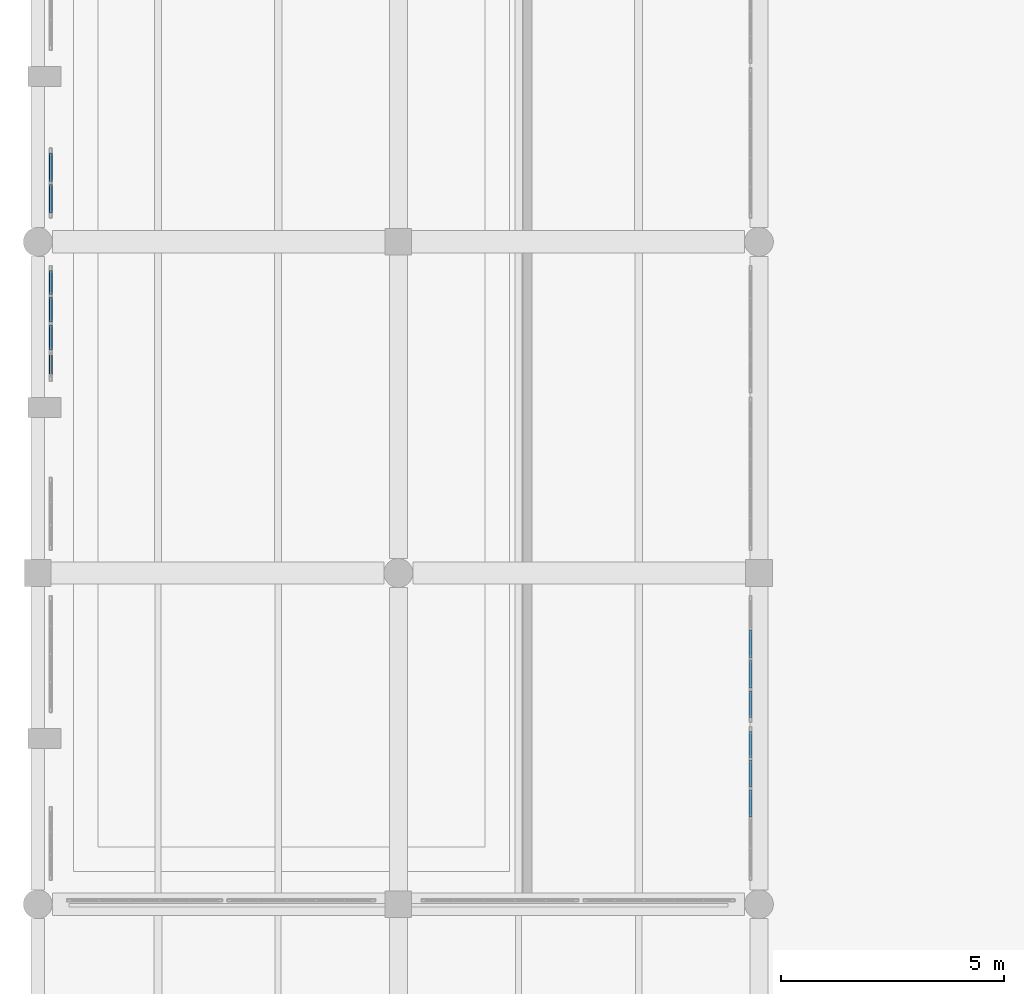
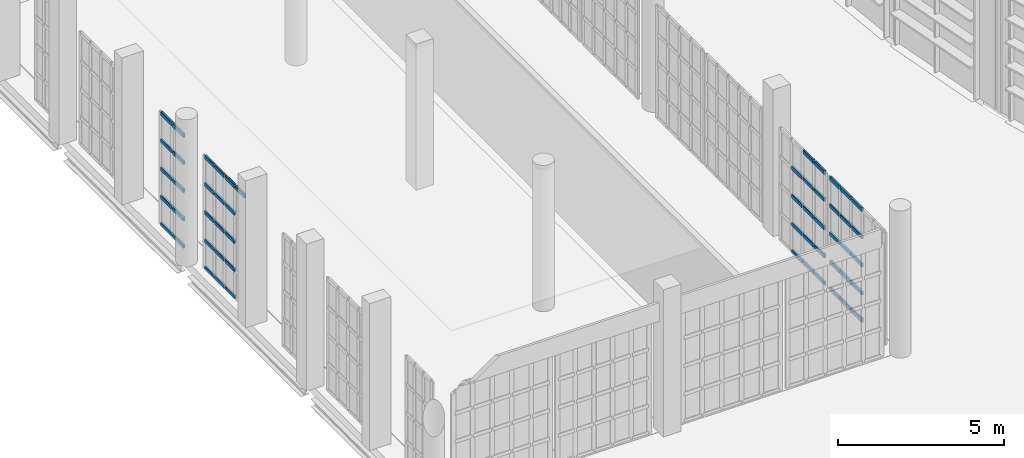
# One storey, part 295 of 372: 55 members, 4 elements without a shape of their own.
"""IFC4 building model written with IfcOpenShell, lengths in metres."""

from ifc_helpers import new_model, si_unit, direction, frame, origin, origin_2d, place, context, subcontext, project, spatial, hollow_rectangle, extrude, material, material_profile, profile_set, type_object, element, aggregate, save


model = new_model("IFC4")

# Units and contexts
model_context = context("Model", 3, precision=1e-05, world=origin(), true_north=direction((0.0, 1.0)))
body_context = subcontext(model_context, "Body", "Model", "MODEL_VIEW")
ifc_project = project(units=[si_unit("LENGTHUNIT", "METRE"), si_unit("AREAUNIT", "SQUARE_METRE"), si_unit("VOLUMEUNIT", "CUBIC_METRE"), si_unit("PLANEANGLEUNIT", "RADIAN"), si_unit("MASSUNIT", "GRAM", prefix="KILO")], contexts=[model_context])

# Site, building, storey
site_placement = place(None, origin())
site = spatial("IfcSite", under=ifc_project, at=site_placement, CompositionType="ELEMENT")
building_placement = place(site_placement, origin())
building = spatial("IfcBuilding", under=site, at=building_placement, Name="Kaelora Sail Theatre", CompositionType="ELEMENT")
storey_placement = place(building_placement, origin())
storey = spatial("IfcBuildingStorey", under=building, at=storey_placement, Name="L00", CompositionType="ELEMENT", Elevation=0.0)

# Curtain wall, members
ifc_material_1 = material(Name="Anodised aluminium and solar-control low-E IGU", Category="aluminium")
curtain_wall_type_1 = type_object("IfcCurtainWallType", Name="ARC-CW-CW-FOY1", PredefinedType="NOTDEFINED", material=ifc_material_1)
curtain_wall_1_placement = place(storey_placement, origin())
curtain_wall_1 = element("IfcCurtainWall", 1, at=curtain_wall_1_placement, inside=storey, type_object=curtain_wall_type_1, Name="Glazed Colonnade/Courtyard Curtain Wall COLW-W-L00-06", PredefinedType="NOTDEFINED")
ifc_material_2 = material(Name="Anodised aluminium 6063-T6", Category="aluminium")
ifc_material_profile = material_profile(ifc_material_2, hollow_rectangle(XDim=0.070068359375, YDim=0.139892578125, WallThickness=0.00390625, InnerFilletRadius=0.00390625, OuterFilletRadius=0.008056640625, at=origin_2d()), Name="ALU-TRAN 70x140x4")
ifc_profile_set = profile_set([ifc_material_profile], Name="Anodised aluminium 6063-T6")
member_type = type_object("IfcMemberType", Name="ARC-MEM-TR-140", PredefinedType="USERDEFINED", material=ifc_profile_set)
member_1_placement = place(storey_placement, frame((1.7900390625, 43.114990234375, 4.10205078125), z_axis=(0.0, 1.0, 0.0), x_axis=(-1.0, 0.0, 0.0)))
member_1 = element("IfcMember", 2, at=member_1_placement, type_object=member_type, Name="CW-FOY1 transom 1.5", ObjectType="TRANSOM", PredefinedType="USERDEFINED", context=body_context, shape_type="SweptSolid", body=[
    extrude(hollow_rectangle(XDim=0.070068359375, YDim=0.139892578125, WallThickness=0.00390625, InnerFilletRadius=0.00390625, OuterFilletRadius=0.008056640625, at=origin_2d()), origin(), (0.0, 0.0, 1.0), 0.534912109375),
])
member_2_placement = place(storey_placement, frame((1.7900390625, 43.7099609375, 0.034912109375), z_axis=(0.0, 1.0, 0.0), x_axis=(-1.0, 0.0, 0.0)))
member_2 = element("IfcMember", 3, at=member_2_placement, type_object=member_type, Name="CW-FOY1 transom 2.1", ObjectType="TRANSOM", PredefinedType="USERDEFINED", context=body_context, shape_type="SweptSolid", body=[
    extrude(hollow_rectangle(XDim=0.070068359375, YDim=0.139892578125, WallThickness=0.00390625, InnerFilletRadius=0.00390625, OuterFilletRadius=0.008056640625, at=origin_2d()), origin(), (0.0, 0.0, 1.0), 0.56494140625),
])
member_3_placement = place(storey_placement, frame((1.7900390625, 43.7099609375, 1.0341796875), z_axis=(0.0, 1.0, 0.0), x_axis=(-1.0, 0.0, 0.0)))
member_3 = element("IfcMember", 4, at=member_3_placement, type_object=member_type, Name="CW-FOY1 transom 2.2", ObjectType="TRANSOM", PredefinedType="USERDEFINED", context=body_context, shape_type="SweptSolid", body=[
    extrude(hollow_rectangle(XDim=0.070068359375, YDim=0.139892578125, WallThickness=0.00390625, InnerFilletRadius=0.00390625, OuterFilletRadius=0.008056640625, at=origin_2d()), origin(), (0.0, 0.0, 1.0), 0.56494140625),
])
member_4_placement = place(storey_placement, frame((1.7900390625, 43.7099609375, 2.068603515625), z_axis=(0.0, 1.0, 0.0), x_axis=(-1.0, 0.0, 0.0)))
member_4 = element("IfcMember", 5, at=member_4_placement, type_object=member_type, Name="CW-FOY1 transom 2.3", ObjectType="TRANSOM", PredefinedType="USERDEFINED", context=body_context, shape_type="SweptSolid", body=[
    extrude(hollow_rectangle(XDim=0.070068359375, YDim=0.139892578125, WallThickness=0.00390625, InnerFilletRadius=0.00390625, OuterFilletRadius=0.008056640625, at=origin_2d()), origin(), (0.0, 0.0, 1.0), 0.56494140625),
])
member_5_placement = place(storey_placement, frame((1.7900390625, 43.7099609375, 3.102783203125), z_axis=(0.0, 1.0, 0.0), x_axis=(-1.0, 0.0, 0.0)))
member_5 = element("IfcMember", 6, at=member_5_placement, type_object=member_type, Name="CW-FOY1 transom 2.4", ObjectType="TRANSOM", PredefinedType="USERDEFINED", context=body_context, shape_type="SweptSolid", body=[
    extrude(hollow_rectangle(XDim=0.070068359375, YDim=0.139892578125, WallThickness=0.00390625, InnerFilletRadius=0.00390625, OuterFilletRadius=0.008056640625, at=origin_2d()), origin(), (0.0, 0.0, 1.0), 0.56494140625),
])
member_6_placement = place(storey_placement, frame((1.7900390625, 43.7099609375, 4.10205078125), z_axis=(0.0, 1.0, 0.0), x_axis=(-1.0, 0.0, 0.0)))
member_6 = element("IfcMember", 7, at=member_6_placement, type_object=member_type, Name="CW-FOY1 transom 2.5", ObjectType="TRANSOM", PredefinedType="USERDEFINED", context=body_context, shape_type="SweptSolid", body=[
    extrude(hollow_rectangle(XDim=0.070068359375, YDim=0.139892578125, WallThickness=0.00390625, InnerFilletRadius=0.00390625, OuterFilletRadius=0.008056640625, at=origin_2d()), origin(), (0.0, 0.0, 1.0), 0.56494140625),
])
member_7_placement = place(storey_placement, frame((1.7900390625, 44.3349609375, 0.034912109375), z_axis=(0.0, 1.0, 0.0), x_axis=(-1.0, 0.0, 0.0)))
member_7 = element("IfcMember", 8, at=member_7_placement, type_object=member_type, Name="CW-FOY1 transom 3.1", ObjectType="TRANSOM", PredefinedType="USERDEFINED", context=body_context, shape_type="SweptSolid", body=[
    extrude(hollow_rectangle(XDim=0.070068359375, YDim=0.139892578125, WallThickness=0.00390625, InnerFilletRadius=0.00390625, OuterFilletRadius=0.008056640625, at=origin_2d()), origin(), (0.0, 0.0, 1.0), 0.56494140625),
])
member_8_placement = place(storey_placement, frame((1.7900390625, 44.3349609375, 1.0341796875), z_axis=(0.0, 1.0, 0.0), x_axis=(-1.0, 0.0, 0.0)))
member_8 = element("IfcMember", 9, at=member_8_placement, type_object=member_type, Name="CW-FOY1 transom 3.2", ObjectType="TRANSOM", PredefinedType="USERDEFINED", context=body_context, shape_type="SweptSolid", body=[
    extrude(hollow_rectangle(XDim=0.070068359375, YDim=0.139892578125, WallThickness=0.00390625, InnerFilletRadius=0.00390625, OuterFilletRadius=0.008056640625, at=origin_2d()), origin(), (0.0, 0.0, 1.0), 0.56494140625),
])
member_9_placement = place(storey_placement, frame((1.7900390625, 44.3349609375, 2.068603515625), z_axis=(0.0, 1.0, 0.0), x_axis=(-1.0, 0.0, 0.0)))
member_9 = element("IfcMember", 10, at=member_9_placement, type_object=member_type, Name="CW-FOY1 transom 3.3", ObjectType="TRANSOM", PredefinedType="USERDEFINED", context=body_context, shape_type="SweptSolid", body=[
    extrude(hollow_rectangle(XDim=0.070068359375, YDim=0.139892578125, WallThickness=0.00390625, InnerFilletRadius=0.00390625, OuterFilletRadius=0.008056640625, at=origin_2d()), origin(), (0.0, 0.0, 1.0), 0.56494140625),
])
member_10_placement = place(storey_placement, frame((1.7900390625, 44.3349609375, 3.102783203125), z_axis=(0.0, 1.0, 0.0), x_axis=(-1.0, 0.0, 0.0)))
member_10 = element("IfcMember", 11, at=member_10_placement, type_object=member_type, Name="CW-FOY1 transom 3.4", ObjectType="TRANSOM", PredefinedType="USERDEFINED", context=body_context, shape_type="SweptSolid", body=[
    extrude(hollow_rectangle(XDim=0.070068359375, YDim=0.139892578125, WallThickness=0.00390625, InnerFilletRadius=0.00390625, OuterFilletRadius=0.008056640625, at=origin_2d()), origin(), (0.0, 0.0, 1.0), 0.56494140625),
])
member_11_placement = place(storey_placement, frame((1.7900390625, 44.3349609375, 4.10205078125), z_axis=(0.0, 1.0, 0.0), x_axis=(-1.0, 0.0, 0.0)))
member_11 = element("IfcMember", 12, at=member_11_placement, type_object=member_type, Name="CW-FOY1 transom 3.5", ObjectType="TRANSOM", PredefinedType="USERDEFINED", context=body_context, shape_type="SweptSolid", body=[
    extrude(hollow_rectangle(XDim=0.070068359375, YDim=0.139892578125, WallThickness=0.00390625, InnerFilletRadius=0.00390625, OuterFilletRadius=0.008056640625, at=origin_2d()), origin(), (0.0, 0.0, 1.0), 0.56494140625),
])
member_12_placement = place(storey_placement, frame((1.7900390625, 44.9599609375, 0.034912109375), z_axis=(0.0, 1.0, 0.0), x_axis=(-1.0, 0.0, 0.0)))
member_12 = element("IfcMember", 13, at=member_12_placement, type_object=member_type, Name="CW-FOY1 transom 4.1", ObjectType="TRANSOM", PredefinedType="USERDEFINED", context=body_context, shape_type="SweptSolid", body=[
    extrude(hollow_rectangle(XDim=0.070068359375, YDim=0.139892578125, WallThickness=0.00390625, InnerFilletRadius=0.00390625, OuterFilletRadius=0.008056640625, at=origin_2d()), origin(), (0.0, 0.0, 1.0), 0.53515625),
])
member_13_placement = place(storey_placement, frame((1.7900390625, 44.9599609375, 1.0341796875), z_axis=(0.0, 1.0, 0.0), x_axis=(-1.0, 0.0, 0.0)))
member_13 = element("IfcMember", 14, at=member_13_placement, type_object=member_type, Name="CW-FOY1 transom 4.2", ObjectType="TRANSOM", PredefinedType="USERDEFINED", context=body_context, shape_type="SweptSolid", body=[
    extrude(hollow_rectangle(XDim=0.070068359375, YDim=0.139892578125, WallThickness=0.00390625, InnerFilletRadius=0.00390625, OuterFilletRadius=0.008056640625, at=origin_2d()), origin(), (0.0, 0.0, 1.0), 0.53515625),
])
member_14_placement = place(storey_placement, frame((1.7900390625, 44.9599609375, 2.068603515625), z_axis=(0.0, 1.0, 0.0), x_axis=(-1.0, 0.0, 0.0)))
member_14 = element("IfcMember", 15, at=member_14_placement, type_object=member_type, Name="CW-FOY1 transom 4.3", ObjectType="TRANSOM", PredefinedType="USERDEFINED", context=body_context, shape_type="SweptSolid", body=[
    extrude(hollow_rectangle(XDim=0.070068359375, YDim=0.139892578125, WallThickness=0.00390625, InnerFilletRadius=0.00390625, OuterFilletRadius=0.008056640625, at=origin_2d()), origin(), (0.0, 0.0, 1.0), 0.53515625),
])
member_15_placement = place(storey_placement, frame((1.7900390625, 44.9599609375, 3.102783203125), z_axis=(0.0, 1.0, 0.0), x_axis=(-1.0, 0.0, 0.0)))
member_15 = element("IfcMember", 16, at=member_15_placement, type_object=member_type, Name="CW-FOY1 transom 4.4", ObjectType="TRANSOM", PredefinedType="USERDEFINED", context=body_context, shape_type="SweptSolid", body=[
    extrude(hollow_rectangle(XDim=0.070068359375, YDim=0.139892578125, WallThickness=0.00390625, InnerFilletRadius=0.00390625, OuterFilletRadius=0.008056640625, at=origin_2d()), origin(), (0.0, 0.0, 1.0), 0.53515625),
])
member_16_placement = place(storey_placement, frame((1.7900390625, 44.9599609375, 4.10205078125), z_axis=(0.0, 1.0, 0.0), x_axis=(-1.0, 0.0, 0.0)))
member_16 = element("IfcMember", 17, at=member_16_placement, type_object=member_type, Name="CW-FOY1 transom 4.5", ObjectType="TRANSOM", PredefinedType="USERDEFINED", context=body_context, shape_type="SweptSolid", body=[
    extrude(hollow_rectangle(XDim=0.070068359375, YDim=0.139892578125, WallThickness=0.00390625, InnerFilletRadius=0.00390625, OuterFilletRadius=0.008056640625, at=origin_2d()), origin(), (0.0, 0.0, 1.0), 0.53515625),
])
aggregate(curtain_wall_1, [member_1, member_2, member_3, member_4, member_5, member_6, member_7, member_8, member_9, member_10, member_11, member_12, member_13, member_14, member_15, member_16])

curtain_wall_2_placement = place(storey_placement, origin())
curtain_wall_2 = element("IfcCurtainWall", 18, at=curtain_wall_2_placement, inside=storey, type_object=curtain_wall_type_1, Name="Glazed Colonnade/Courtyard Curtain Wall COLW-W-L00-07", PredefinedType="NOTDEFINED")
member_17_placement = place(storey_placement, frame((1.7900390625, 46.784912109375, 0.034912109375), z_axis=(0.0, 1.0, 0.0), x_axis=(-1.0, 0.0, 0.0)))
member_17 = element("IfcMember", 19, at=member_17_placement, type_object=member_type, Name="CW-FOY1 transom 1.1", ObjectType="TRANSOM", PredefinedType="USERDEFINED", context=body_context, shape_type="SweptSolid", body=[
    extrude(hollow_rectangle(XDim=0.070068359375, YDim=0.139892578125, WallThickness=0.00390625, InnerFilletRadius=0.00390625, OuterFilletRadius=0.008056640625, at=origin_2d()), origin(), (0.0, 0.0, 1.0), 0.647705078125),
])
member_18_placement = place(storey_placement, frame((1.7900390625, 46.784912109375, 1.0341796875), z_axis=(0.0, 1.0, 0.0), x_axis=(-1.0, 0.0, 0.0)))
member_18 = element("IfcMember", 20, at=member_18_placement, type_object=member_type, Name="CW-FOY1 transom 1.2", ObjectType="TRANSOM", PredefinedType="USERDEFINED", context=body_context, shape_type="SweptSolid", body=[
    extrude(hollow_rectangle(XDim=0.070068359375, YDim=0.139892578125, WallThickness=0.00390625, InnerFilletRadius=0.00390625, OuterFilletRadius=0.008056640625, at=origin_2d()), origin(), (0.0, 0.0, 1.0), 0.647705078125),
])
member_19_placement = place(storey_placement, frame((1.7900390625, 46.784912109375, 2.068603515625), z_axis=(0.0, 1.0, 0.0), x_axis=(-1.0, 0.0, 0.0)))
member_19 = element("IfcMember", 21, at=member_19_placement, type_object=member_type, Name="CW-FOY1 transom 1.3", ObjectType="TRANSOM", PredefinedType="USERDEFINED", context=body_context, shape_type="SweptSolid", body=[
    extrude(hollow_rectangle(XDim=0.070068359375, YDim=0.139892578125, WallThickness=0.00390625, InnerFilletRadius=0.00390625, OuterFilletRadius=0.008056640625, at=origin_2d()), origin(), (0.0, 0.0, 1.0), 0.647705078125),
])
member_20_placement = place(storey_placement, frame((1.7900390625, 46.784912109375, 3.102783203125), z_axis=(0.0, 1.0, 0.0), x_axis=(-1.0, 0.0, 0.0)))
member_20 = element("IfcMember", 22, at=member_20_placement, type_object=member_type, Name="CW-FOY1 transom 1.4", ObjectType="TRANSOM", PredefinedType="USERDEFINED", context=body_context, shape_type="SweptSolid", body=[
    extrude(hollow_rectangle(XDim=0.070068359375, YDim=0.139892578125, WallThickness=0.00390625, InnerFilletRadius=0.00390625, OuterFilletRadius=0.008056640625, at=origin_2d()), origin(), (0.0, 0.0, 1.0), 0.647705078125),
])
member_21_placement = place(storey_placement, frame((1.7900390625, 46.784912109375, 4.10205078125), z_axis=(0.0, 1.0, 0.0), x_axis=(-1.0, 0.0, 0.0)))
member_21 = element("IfcMember", 23, at=member_21_placement, type_object=member_type, Name="CW-FOY1 transom 1.5", ObjectType="TRANSOM", PredefinedType="USERDEFINED", context=body_context, shape_type="SweptSolid", body=[
    extrude(hollow_rectangle(XDim=0.070068359375, YDim=0.139892578125, WallThickness=0.00390625, InnerFilletRadius=0.00390625, OuterFilletRadius=0.008056640625, at=origin_2d()), origin(), (0.0, 0.0, 1.0), 0.647705078125),
])
member_22_placement = place(storey_placement, frame((1.7900390625, 47.492431640625, 0.034912109375), z_axis=(0.0, 1.0, 0.0), x_axis=(-1.0, 0.0, 0.0)))
member_22 = element("IfcMember", 24, at=member_22_placement, type_object=member_type, Name="CW-FOY1 transom 2.1", ObjectType="TRANSOM", PredefinedType="USERDEFINED", context=body_context, shape_type="SweptSolid", body=[
    extrude(hollow_rectangle(XDim=0.070068359375, YDim=0.139892578125, WallThickness=0.00390625, InnerFilletRadius=0.00390625, OuterFilletRadius=0.008056640625, at=origin_2d()), origin(), (0.0, 0.0, 1.0), 0.6474609375),
])
member_23_placement = place(storey_placement, frame((1.7900390625, 47.492431640625, 1.0341796875), z_axis=(0.0, 1.0, 0.0), x_axis=(-1.0, 0.0, 0.0)))
member_23 = element("IfcMember", 25, at=member_23_placement, type_object=member_type, Name="CW-FOY1 transom 2.2", ObjectType="TRANSOM", PredefinedType="USERDEFINED", context=body_context, shape_type="SweptSolid", body=[
    extrude(hollow_rectangle(XDim=0.070068359375, YDim=0.139892578125, WallThickness=0.00390625, InnerFilletRadius=0.00390625, OuterFilletRadius=0.008056640625, at=origin_2d()), origin(), (0.0, 0.0, 1.0), 0.6474609375),
])
member_24_placement = place(storey_placement, frame((1.7900390625, 47.492431640625, 2.068603515625), z_axis=(0.0, 1.0, 0.0), x_axis=(-1.0, 0.0, 0.0)))
member_24 = element("IfcMember", 26, at=member_24_placement, type_object=member_type, Name="CW-FOY1 transom 2.3", ObjectType="TRANSOM", PredefinedType="USERDEFINED", context=body_context, shape_type="SweptSolid", body=[
    extrude(hollow_rectangle(XDim=0.070068359375, YDim=0.139892578125, WallThickness=0.00390625, InnerFilletRadius=0.00390625, OuterFilletRadius=0.008056640625, at=origin_2d()), origin(), (0.0, 0.0, 1.0), 0.6474609375),
])
member_25_placement = place(storey_placement, frame((1.7900390625, 47.492431640625, 3.102783203125), z_axis=(0.0, 1.0, 0.0), x_axis=(-1.0, 0.0, 0.0)))
member_25 = element("IfcMember", 27, at=member_25_placement, type_object=member_type, Name="CW-FOY1 transom 2.4", ObjectType="TRANSOM", PredefinedType="USERDEFINED", context=body_context, shape_type="SweptSolid", body=[
    extrude(hollow_rectangle(XDim=0.070068359375, YDim=0.139892578125, WallThickness=0.00390625, InnerFilletRadius=0.00390625, OuterFilletRadius=0.008056640625, at=origin_2d()), origin(), (0.0, 0.0, 1.0), 0.6474609375),
])
member_26_placement = place(storey_placement, frame((1.7900390625, 47.492431640625, 4.10205078125), z_axis=(0.0, 1.0, 0.0), x_axis=(-1.0, 0.0, 0.0)))
member_26 = element("IfcMember", 28, at=member_26_placement, type_object=member_type, Name="CW-FOY1 transom 2.5", ObjectType="TRANSOM", PredefinedType="USERDEFINED", context=body_context, shape_type="SweptSolid", body=[
    extrude(hollow_rectangle(XDim=0.070068359375, YDim=0.139892578125, WallThickness=0.00390625, InnerFilletRadius=0.00390625, OuterFilletRadius=0.008056640625, at=origin_2d()), origin(), (0.0, 0.0, 1.0), 0.6474609375),
])
aggregate(curtain_wall_2, [member_17, member_18, member_19, member_20, member_21, member_22, member_23, member_24, member_25, member_26])

ifc_material_3 = material(Name="Anodised aluminium and solar-control low-E IGU", Category="aluminium")
curtain_wall_type_2 = type_object("IfcCurtainWallType", Name="ARC-CW-CW-FOY2", PredefinedType="NOTDEFINED", material=ifc_material_3)
curtain_wall_3_placement = place(storey_placement, origin())
curtain_wall_3 = element("IfcCurtainWall", 29, at=curtain_wall_3_placement, inside=storey, type_object=curtain_wall_type_2, Name="Glazed Colonnade/Courtyard Curtain Wall COLW-E-L00-01", PredefinedType="NOTDEFINED")
member_27_placement = place(storey_placement, frame((17.510009765625, 33.217041015625, 0.034912109375), z_axis=(0.0, 1.0, 0.0), x_axis=(-1.0, 0.0, 0.0)))
member_27 = element("IfcMember", 30, at=member_27_placement, type_object=member_type, Name="CW-FOY2 transom 3.1", ObjectType="TRANSOM", PredefinedType="USERDEFINED", context=body_context, shape_type="SweptSolid", body=[
    extrude(hollow_rectangle(XDim=0.070068359375, YDim=0.139892578125, WallThickness=0.00390625, InnerFilletRadius=0.00390625, OuterFilletRadius=0.008056640625, at=origin_2d()), origin(), (0.0, 0.0, 1.0), 0.61083984375),
])
member_28_placement = place(storey_placement, frame((17.510009765625, 33.217041015625, 1.0341796875), z_axis=(0.0, 1.0, 0.0), x_axis=(-1.0, 0.0, 0.0)))
member_28 = element("IfcMember", 31, at=member_28_placement, type_object=member_type, Name="CW-FOY2 transom 3.2", ObjectType="TRANSOM", PredefinedType="USERDEFINED", context=body_context, shape_type="SweptSolid", body=[
    extrude(hollow_rectangle(XDim=0.070068359375, YDim=0.139892578125, WallThickness=0.00390625, InnerFilletRadius=0.00390625, OuterFilletRadius=0.008056640625, at=origin_2d()), origin(), (0.0, 0.0, 1.0), 0.61083984375),
])
member_29_placement = place(storey_placement, frame((17.510009765625, 33.217041015625, 2.068603515625), z_axis=(0.0, 1.0, 0.0), x_axis=(-1.0, 0.0, 0.0)))
member_29 = element("IfcMember", 32, at=member_29_placement, type_object=member_type, Name="CW-FOY2 transom 3.3", ObjectType="TRANSOM", PredefinedType="USERDEFINED", context=body_context, shape_type="SweptSolid", body=[
    extrude(hollow_rectangle(XDim=0.070068359375, YDim=0.139892578125, WallThickness=0.00390625, InnerFilletRadius=0.00390625, OuterFilletRadius=0.008056640625, at=origin_2d()), origin(), (0.0, 0.0, 1.0), 0.61083984375),
])
member_30_placement = place(storey_placement, frame((17.510009765625, 33.217041015625, 3.102783203125), z_axis=(0.0, 1.0, 0.0), x_axis=(-1.0, 0.0, 0.0)))
member_30 = element("IfcMember", 33, at=member_30_placement, type_object=member_type, Name="CW-FOY2 transom 3.4", ObjectType="TRANSOM", PredefinedType="USERDEFINED", context=body_context, shape_type="SweptSolid", body=[
    extrude(hollow_rectangle(XDim=0.070068359375, YDim=0.139892578125, WallThickness=0.00390625, InnerFilletRadius=0.00390625, OuterFilletRadius=0.008056640625, at=origin_2d()), origin(), (0.0, 0.0, 1.0), 0.61083984375),
])
member_31_placement = place(storey_placement, frame((17.510009765625, 33.217041015625, 4.10205078125), z_axis=(0.0, 1.0, 0.0), x_axis=(-1.0, 0.0, 0.0)))
member_31 = element("IfcMember", 34, at=member_31_placement, type_object=member_type, Name="CW-FOY2 transom 3.5", ObjectType="TRANSOM", PredefinedType="USERDEFINED", context=body_context, shape_type="SweptSolid", body=[
    extrude(hollow_rectangle(XDim=0.070068359375, YDim=0.139892578125, WallThickness=0.00390625, InnerFilletRadius=0.00390625, OuterFilletRadius=0.008056640625, at=origin_2d()), origin(), (0.0, 0.0, 1.0), 0.61083984375),
])
member_32_placement = place(storey_placement, frame((17.510009765625, 33.887939453125, 0.034912109375), z_axis=(0.0, 1.0, 0.0), x_axis=(-1.0, 0.0, 0.0)))
member_32 = element("IfcMember", 35, at=member_32_placement, type_object=member_type, Name="CW-FOY2 transom 4.1", ObjectType="TRANSOM", PredefinedType="USERDEFINED", context=body_context, shape_type="SweptSolid", body=[
    extrude(hollow_rectangle(XDim=0.070068359375, YDim=0.139892578125, WallThickness=0.00390625, InnerFilletRadius=0.00390625, OuterFilletRadius=0.008056640625, at=origin_2d()), origin(), (0.0, 0.0, 1.0), 0.611083984375),
])
member_33_placement = place(storey_placement, frame((17.510009765625, 33.887939453125, 1.0341796875), z_axis=(0.0, 1.0, 0.0), x_axis=(-1.0, 0.0, 0.0)))
member_33 = element("IfcMember", 36, at=member_33_placement, type_object=member_type, Name="CW-FOY2 transom 4.2", ObjectType="TRANSOM", PredefinedType="USERDEFINED", context=body_context, shape_type="SweptSolid", body=[
    extrude(hollow_rectangle(XDim=0.070068359375, YDim=0.139892578125, WallThickness=0.00390625, InnerFilletRadius=0.00390625, OuterFilletRadius=0.008056640625, at=origin_2d()), origin(), (0.0, 0.0, 1.0), 0.611083984375),
])
member_34_placement = place(storey_placement, frame((17.510009765625, 33.887939453125, 2.068603515625), z_axis=(0.0, 1.0, 0.0), x_axis=(-1.0, 0.0, 0.0)))
member_34 = element("IfcMember", 37, at=member_34_placement, type_object=member_type, Name="CW-FOY2 transom 4.3", ObjectType="TRANSOM", PredefinedType="USERDEFINED", context=body_context, shape_type="SweptSolid", body=[
    extrude(hollow_rectangle(XDim=0.070068359375, YDim=0.139892578125, WallThickness=0.00390625, InnerFilletRadius=0.00390625, OuterFilletRadius=0.008056640625, at=origin_2d()), origin(), (0.0, 0.0, 1.0), 0.611083984375),
])
member_35_placement = place(storey_placement, frame((17.510009765625, 33.887939453125, 3.102783203125), z_axis=(0.0, 1.0, 0.0), x_axis=(-1.0, 0.0, 0.0)))
member_35 = element("IfcMember", 38, at=member_35_placement, type_object=member_type, Name="CW-FOY2 transom 4.4", ObjectType="TRANSOM", PredefinedType="USERDEFINED", context=body_context, shape_type="SweptSolid", body=[
    extrude(hollow_rectangle(XDim=0.070068359375, YDim=0.139892578125, WallThickness=0.00390625, InnerFilletRadius=0.00390625, OuterFilletRadius=0.008056640625, at=origin_2d()), origin(), (0.0, 0.0, 1.0), 0.611083984375),
])
member_36_placement = place(storey_placement, frame((17.510009765625, 33.887939453125, 4.10205078125), z_axis=(0.0, 1.0, 0.0), x_axis=(-1.0, 0.0, 0.0)))
member_36 = element("IfcMember", 39, at=member_36_placement, type_object=member_type, Name="CW-FOY2 transom 4.5", ObjectType="TRANSOM", PredefinedType="USERDEFINED", context=body_context, shape_type="SweptSolid", body=[
    extrude(hollow_rectangle(XDim=0.070068359375, YDim=0.139892578125, WallThickness=0.00390625, InnerFilletRadius=0.00390625, OuterFilletRadius=0.008056640625, at=origin_2d()), origin(), (0.0, 0.0, 1.0), 0.611083984375),
])
member_37_placement = place(storey_placement, frame((17.510009765625, 34.55908203125, 0.034912109375), z_axis=(0.0, 1.0, 0.0), x_axis=(-1.0, 0.0, 0.0)))
member_37 = element("IfcMember", 40, at=member_37_placement, type_object=member_type, Name="CW-FOY2 transom 5.1", ObjectType="TRANSOM", PredefinedType="USERDEFINED", context=body_context, shape_type="SweptSolid", body=[
    extrude(hollow_rectangle(XDim=0.070068359375, YDim=0.139892578125, WallThickness=0.00390625, InnerFilletRadius=0.00390625, OuterFilletRadius=0.008056640625, at=origin_2d()), origin(), (0.0, 0.0, 1.0), 0.580810546875),
])
member_38_placement = place(storey_placement, frame((17.510009765625, 34.55908203125, 1.0341796875), z_axis=(0.0, 1.0, 0.0), x_axis=(-1.0, 0.0, 0.0)))
member_38 = element("IfcMember", 41, at=member_38_placement, type_object=member_type, Name="CW-FOY2 transom 5.2", ObjectType="TRANSOM", PredefinedType="USERDEFINED", context=body_context, shape_type="SweptSolid", body=[
    extrude(hollow_rectangle(XDim=0.070068359375, YDim=0.139892578125, WallThickness=0.00390625, InnerFilletRadius=0.00390625, OuterFilletRadius=0.008056640625, at=origin_2d()), origin(), (0.0, 0.0, 1.0), 0.580810546875),
])
member_39_placement = place(storey_placement, frame((17.510009765625, 34.55908203125, 2.068603515625), z_axis=(0.0, 1.0, 0.0), x_axis=(-1.0, 0.0, 0.0)))
member_39 = element("IfcMember", 42, at=member_39_placement, type_object=member_type, Name="CW-FOY2 transom 5.3", ObjectType="TRANSOM", PredefinedType="USERDEFINED", context=body_context, shape_type="SweptSolid", body=[
    extrude(hollow_rectangle(XDim=0.070068359375, YDim=0.139892578125, WallThickness=0.00390625, InnerFilletRadius=0.00390625, OuterFilletRadius=0.008056640625, at=origin_2d()), origin(), (0.0, 0.0, 1.0), 0.580810546875),
])
member_40_placement = place(storey_placement, frame((17.510009765625, 34.55908203125, 3.102783203125), z_axis=(0.0, 1.0, 0.0), x_axis=(-1.0, 0.0, 0.0)))
member_40 = element("IfcMember", 43, at=member_40_placement, type_object=member_type, Name="CW-FOY2 transom 5.4", ObjectType="TRANSOM", PredefinedType="USERDEFINED", context=body_context, shape_type="SweptSolid", body=[
    extrude(hollow_rectangle(XDim=0.070068359375, YDim=0.139892578125, WallThickness=0.00390625, InnerFilletRadius=0.00390625, OuterFilletRadius=0.008056640625, at=origin_2d()), origin(), (0.0, 0.0, 1.0), 0.580810546875),
])
member_41_placement = place(storey_placement, frame((17.510009765625, 34.55908203125, 4.10205078125), z_axis=(0.0, 1.0, 0.0), x_axis=(-1.0, 0.0, 0.0)))
member_41 = element("IfcMember", 44, at=member_41_placement, type_object=member_type, Name="CW-FOY2 transom 5.5", ObjectType="TRANSOM", PredefinedType="USERDEFINED", context=body_context, shape_type="SweptSolid", body=[
    extrude(hollow_rectangle(XDim=0.070068359375, YDim=0.139892578125, WallThickness=0.00390625, InnerFilletRadius=0.00390625, OuterFilletRadius=0.008056640625, at=origin_2d()), origin(), (0.0, 0.0, 1.0), 0.580810546875),
])
aggregate(curtain_wall_3, [member_27, member_28, member_29, member_30, member_31, member_32, member_33, member_34, member_35, member_36, member_37, member_38, member_39, member_40, member_41])

curtain_wall_4_placement = place(storey_placement, origin())
curtain_wall_4 = element("IfcCurtainWall", 45, at=curtain_wall_4_placement, inside=storey, type_object=curtain_wall_type_2, Name="Glazed Colonnade/Courtyard Curtain Wall COLW-E-L00-02", PredefinedType="NOTDEFINED")
member_42_placement = place(storey_placement, frame((17.510009765625, 35.4599609375, 0.034912109375), z_axis=(0.0, 1.0, 0.0), x_axis=(-1.0, 0.0, 0.0)))
member_42 = element("IfcMember", 46, at=member_42_placement, type_object=member_type, Name="CW-FOY2 transom 1.1", ObjectType="TRANSOM", PredefinedType="USERDEFINED", context=body_context, shape_type="SweptSolid", body=[
    extrude(hollow_rectangle(XDim=0.070068359375, YDim=0.139892578125, WallThickness=0.00390625, InnerFilletRadius=0.00390625, OuterFilletRadius=0.008056640625, at=origin_2d()), origin(), (0.0, 0.0, 1.0), 0.594970703125),
])
member_43_placement = place(storey_placement, frame((17.510009765625, 35.4599609375, 1.0341796875), z_axis=(0.0, 1.0, 0.0), x_axis=(-1.0, 0.0, 0.0)))
member_43 = element("IfcMember", 47, at=member_43_placement, type_object=member_type, Name="CW-FOY2 transom 1.2", ObjectType="TRANSOM", PredefinedType="USERDEFINED", context=body_context, shape_type="SweptSolid", body=[
    extrude(hollow_rectangle(XDim=0.070068359375, YDim=0.139892578125, WallThickness=0.00390625, InnerFilletRadius=0.00390625, OuterFilletRadius=0.008056640625, at=origin_2d()), origin(), (0.0, 0.0, 1.0), 0.594970703125),
])
member_44_placement = place(storey_placement, frame((17.510009765625, 35.4599609375, 2.068603515625), z_axis=(0.0, 1.0, 0.0), x_axis=(-1.0, 0.0, 0.0)))
member_44 = element("IfcMember", 48, at=member_44_placement, type_object=member_type, Name="CW-FOY2 transom 1.3", ObjectType="TRANSOM", PredefinedType="USERDEFINED", context=body_context, shape_type="SweptSolid", body=[
    extrude(hollow_rectangle(XDim=0.070068359375, YDim=0.139892578125, WallThickness=0.00390625, InnerFilletRadius=0.00390625, OuterFilletRadius=0.008056640625, at=origin_2d()), origin(), (0.0, 0.0, 1.0), 0.594970703125),
])
member_45_placement = place(storey_placement, frame((17.510009765625, 35.4599609375, 3.102783203125), z_axis=(0.0, 1.0, 0.0), x_axis=(-1.0, 0.0, 0.0)))
member_45 = element("IfcMember", 49, at=member_45_placement, type_object=member_type, Name="CW-FOY2 transom 1.4", ObjectType="TRANSOM", PredefinedType="USERDEFINED", context=body_context, shape_type="SweptSolid", body=[
    extrude(hollow_rectangle(XDim=0.070068359375, YDim=0.139892578125, WallThickness=0.00390625, InnerFilletRadius=0.00390625, OuterFilletRadius=0.008056640625, at=origin_2d()), origin(), (0.0, 0.0, 1.0), 0.594970703125),
])
member_46_placement = place(storey_placement, frame((17.510009765625, 35.4599609375, 4.10205078125), z_axis=(0.0, 1.0, 0.0), x_axis=(-1.0, 0.0, 0.0)))
member_46 = element("IfcMember", 50, at=member_46_placement, type_object=member_type, Name="CW-FOY2 transom 1.5", ObjectType="TRANSOM", PredefinedType="USERDEFINED", context=body_context, shape_type="SweptSolid", body=[
    extrude(hollow_rectangle(XDim=0.070068359375, YDim=0.139892578125, WallThickness=0.00390625, InnerFilletRadius=0.00390625, OuterFilletRadius=0.008056640625, at=origin_2d()), origin(), (0.0, 0.0, 1.0), 0.594970703125),
])
member_47_placement = place(storey_placement, frame((17.510009765625, 36.114990234375, 0.034912109375), z_axis=(0.0, 1.0, 0.0), x_axis=(-1.0, 0.0, 0.0)))
member_47 = element("IfcMember", 51, at=member_47_placement, type_object=member_type, Name="CW-FOY2 transom 2.1", ObjectType="TRANSOM", PredefinedType="USERDEFINED", context=body_context, shape_type="SweptSolid", body=[
    extrude(hollow_rectangle(XDim=0.070068359375, YDim=0.139892578125, WallThickness=0.00390625, InnerFilletRadius=0.00390625, OuterFilletRadius=0.008056640625, at=origin_2d()), origin(), (0.0, 0.0, 1.0), 0.625),
])
member_48_placement = place(storey_placement, frame((17.510009765625, 36.114990234375, 1.0341796875), z_axis=(0.0, 1.0, 0.0), x_axis=(-1.0, 0.0, 0.0)))
member_48 = element("IfcMember", 52, at=member_48_placement, type_object=member_type, Name="CW-FOY2 transom 2.2", ObjectType="TRANSOM", PredefinedType="USERDEFINED", context=body_context, shape_type="SweptSolid", body=[
    extrude(hollow_rectangle(XDim=0.070068359375, YDim=0.139892578125, WallThickness=0.00390625, InnerFilletRadius=0.00390625, OuterFilletRadius=0.008056640625, at=origin_2d()), origin(), (0.0, 0.0, 1.0), 0.625),
])
member_49_placement = place(storey_placement, frame((17.510009765625, 36.114990234375, 2.068603515625), z_axis=(0.0, 1.0, 0.0), x_axis=(-1.0, 0.0, 0.0)))
member_49 = element("IfcMember", 53, at=member_49_placement, type_object=member_type, Name="CW-FOY2 transom 2.3", ObjectType="TRANSOM", PredefinedType="USERDEFINED", context=body_context, shape_type="SweptSolid", body=[
    extrude(hollow_rectangle(XDim=0.070068359375, YDim=0.139892578125, WallThickness=0.00390625, InnerFilletRadius=0.00390625, OuterFilletRadius=0.008056640625, at=origin_2d()), origin(), (0.0, 0.0, 1.0), 0.625),
])
member_50_placement = place(storey_placement, frame((17.510009765625, 36.114990234375, 3.102783203125), z_axis=(0.0, 1.0, 0.0), x_axis=(-1.0, 0.0, 0.0)))
member_50 = element("IfcMember", 54, at=member_50_placement, type_object=member_type, Name="CW-FOY2 transom 2.4", ObjectType="TRANSOM", PredefinedType="USERDEFINED", context=body_context, shape_type="SweptSolid", body=[
    extrude(hollow_rectangle(XDim=0.070068359375, YDim=0.139892578125, WallThickness=0.00390625, InnerFilletRadius=0.00390625, OuterFilletRadius=0.008056640625, at=origin_2d()), origin(), (0.0, 0.0, 1.0), 0.625),
])
member_51_placement = place(storey_placement, frame((17.510009765625, 36.114990234375, 4.10205078125), z_axis=(0.0, 1.0, 0.0), x_axis=(-1.0, 0.0, 0.0)))
member_51 = element("IfcMember", 55, at=member_51_placement, type_object=member_type, Name="CW-FOY2 transom 2.5", ObjectType="TRANSOM", PredefinedType="USERDEFINED", context=body_context, shape_type="SweptSolid", body=[
    extrude(hollow_rectangle(XDim=0.070068359375, YDim=0.139892578125, WallThickness=0.00390625, InnerFilletRadius=0.00390625, OuterFilletRadius=0.008056640625, at=origin_2d()), origin(), (0.0, 0.0, 1.0), 0.625),
])
member_52_placement = place(storey_placement, frame((17.510009765625, 36.800048828125, 0.034912109375), z_axis=(0.0, 1.0, 0.0), x_axis=(-1.0, 0.0, 0.0)))
member_52 = element("IfcMember", 56, at=member_52_placement, type_object=member_type, Name="CW-FOY2 transom 3.1", ObjectType="TRANSOM", PredefinedType="USERDEFINED", context=body_context, shape_type="SweptSolid", body=[
    extrude(hollow_rectangle(XDim=0.070068359375, YDim=0.139892578125, WallThickness=0.00390625, InnerFilletRadius=0.00390625, OuterFilletRadius=0.008056640625, at=origin_2d()), origin(), (0.0, 0.0, 1.0), 0.625),
])
member_53_placement = place(storey_placement, frame((17.510009765625, 36.800048828125, 1.0341796875), z_axis=(0.0, 1.0, 0.0), x_axis=(-1.0, 0.0, 0.0)))
member_53 = element("IfcMember", 57, at=member_53_placement, type_object=member_type, Name="CW-FOY2 transom 3.2", ObjectType="TRANSOM", PredefinedType="USERDEFINED", context=body_context, shape_type="SweptSolid", body=[
    extrude(hollow_rectangle(XDim=0.070068359375, YDim=0.139892578125, WallThickness=0.00390625, InnerFilletRadius=0.00390625, OuterFilletRadius=0.008056640625, at=origin_2d()), origin(), (0.0, 0.0, 1.0), 0.625),
])
member_54_placement = place(storey_placement, frame((17.510009765625, 36.800048828125, 2.068603515625), z_axis=(0.0, 1.0, 0.0), x_axis=(-1.0, 0.0, 0.0)))
member_54 = element("IfcMember", 58, at=member_54_placement, type_object=member_type, Name="CW-FOY2 transom 3.3", ObjectType="TRANSOM", PredefinedType="USERDEFINED", context=body_context, shape_type="SweptSolid", body=[
    extrude(hollow_rectangle(XDim=0.070068359375, YDim=0.139892578125, WallThickness=0.00390625, InnerFilletRadius=0.00390625, OuterFilletRadius=0.008056640625, at=origin_2d()), origin(), (0.0, 0.0, 1.0), 0.625),
])
member_55_placement = place(storey_placement, frame((17.510009765625, 36.800048828125, 3.102783203125), z_axis=(0.0, 1.0, 0.0), x_axis=(-1.0, 0.0, 0.0)))
member_55 = element("IfcMember", 59, at=member_55_placement, type_object=member_type, Name="CW-FOY2 transom 3.4", ObjectType="TRANSOM", PredefinedType="USERDEFINED", context=body_context, shape_type="SweptSolid", body=[
    extrude(hollow_rectangle(XDim=0.070068359375, YDim=0.139892578125, WallThickness=0.00390625, InnerFilletRadius=0.00390625, OuterFilletRadius=0.008056640625, at=origin_2d()), origin(), (0.0, 0.0, 1.0), 0.625),
])
aggregate(curtain_wall_4, [member_42, member_43, member_44, member_45, member_46, member_47, member_48, member_49, member_50, member_51, member_52, member_53, member_54, member_55])

save(model, "model.ifc")
